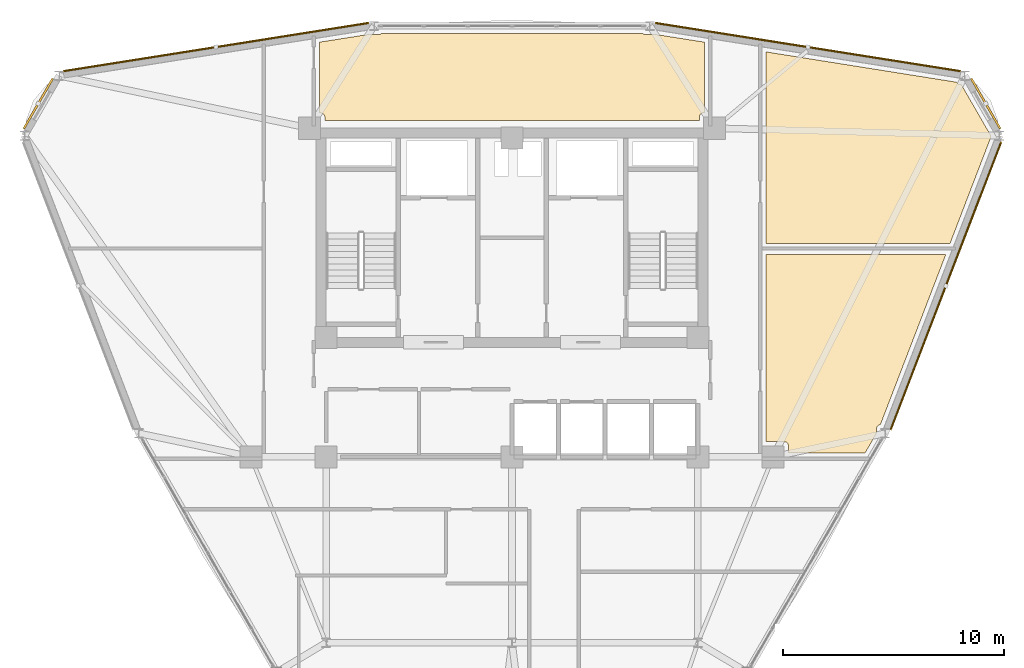
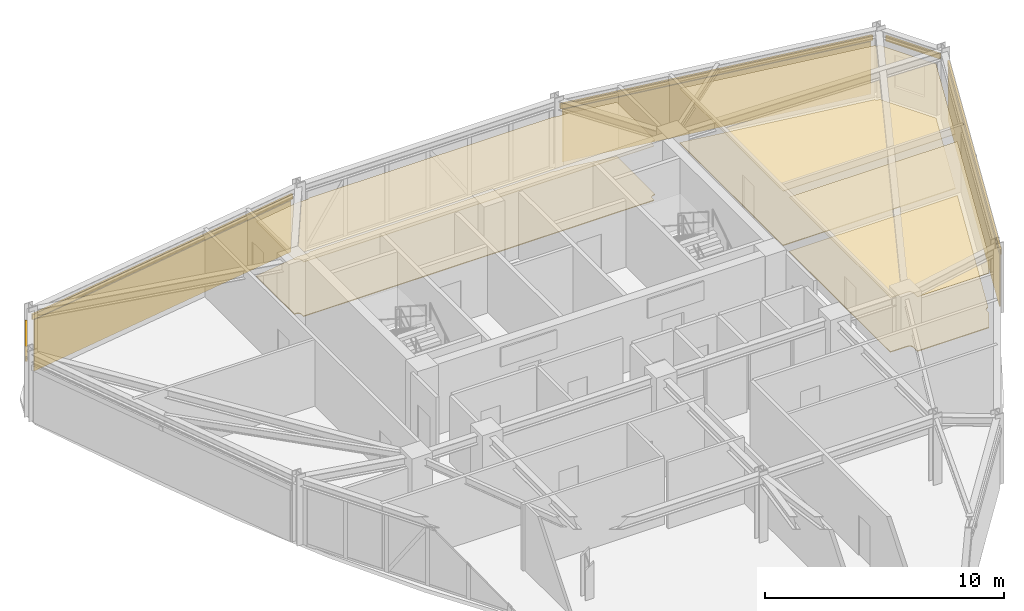
# One storey, part 14 of 14: 9 coverings, 5 shading devices.
"""IFC4 building model written with IfcOpenShell, lengths in metres."""

from ifc_helpers import new_model, si_unit, derived_unit, direction, frame, origin, origin_2d, place, context, subcontext, project, spatial, polyline, hollow_rectangle, outline, extrude, source, transform, mapped, material, layer, layer_set, material_profile, profile_set, type_object, element, save


model = new_model("IFC4")

# Units and contexts
model_context = context("Model", 3, precision=1e-05, world=origin(), true_north=direction((0.0, 1.0)))
body_context = subcontext(model_context, "Body", "Model", "MODEL_VIEW")
ifc_project = project(units=[si_unit("LENGTHUNIT", "METRE"), si_unit("AREAUNIT", "SQUARE_METRE"), si_unit("VOLUMEUNIT", "CUBIC_METRE"), si_unit("PLANEANGLEUNIT", "RADIAN"), si_unit("MASSUNIT", "GRAM", prefix="KILO"), derived_unit("THERMALTRANSMITTANCEUNIT", [(si_unit("POWERUNIT", "WATT"), 1), (si_unit("LENGTHUNIT", "METRE"), -2), (si_unit("THERMODYNAMICTEMPERATUREUNIT", "KELVIN"), -1)])], contexts=[model_context])

# Site, building, storey
site_placement = place(None, origin())
site = spatial("IfcSite", under=ifc_project, at=site_placement, CompositionType="ELEMENT")
building_placement = place(site_placement, origin())
building = spatial("IfcBuilding", under=site, at=building_placement, Name="Korsvarv Bourse and Concert Hall", CompositionType="ELEMENT")
storey_placement = place(building_placement, frame((0.0, 0.0, 190.199951171875)))
storey = spatial("IfcBuildingStorey", under=building, at=storey_placement, Name="L49", CompositionType="ELEMENT", Elevation=190.199951171875)

# Coverings
ifc_material_1 = material(Name="Perforated mineral-wool and birch acoustic baffle ceiling", Category="wood")
ifc_layer_1 = layer(ifc_material_1, 0.02490234375)
ifc_layer_set_1 = layer_set([ifc_layer_1], Name="Perforated mineral-wool and birch acoustic baffle ceiling")
covering_type_1 = type_object("IfcCoveringType", Name="COV-CEIL-1", PredefinedType="CEILING", material=ifc_layer_set_1)
covering_1_placement = place(storey_placement, frame((0.0, 0.0, 2.780029296875)))
element("IfcCovering", 1, at=covering_1_placement, inside=storey, type_object=covering_type_1, Name="L49 acoustic baffle ceiling 1", PredefinedType="CEILING", context=body_context, shape_type="SweptSolid", body=[
    extrude(outline(polyline([(56.0947265625, 49.327880859375), (56.115234375, 49.298095703125), (56.14111328125, 49.273193359375), (56.171630859375, 49.253662109375), (56.205322265625, 49.24072265625), (56.24072265625, 49.23486328125), (56.298828125, 49.231201171875), (57.63720703125, 46.9130859375), (57.63720703125, 46.837646484375), (55.797607421875, 42.050048828125), (47.47998046875, 42.050048828125), (47.47998046875, 50.6982421875), (56.0947265625, 49.327880859375)])), origin(), (0.0, 0.0, 1.0), 0.02490234375),
])
covering_2_placement = place(storey_placement, frame((0.0, 0.0, 2.780029296875)))
element("IfcCovering", 2, at=covering_2_placement, inside=storey, type_object=covering_type_1, Name="L49 acoustic baffle ceiling 2", PredefinedType="CEILING", context=body_context, shape_type="SweptSolid", body=[
    extrude(outline(polyline([(29.509033203125, 51.48681640625), (29.5341796875, 51.48193359375), (29.966796875, 51.473876953125), (30.003173828125, 51.476806640625), (30.0380859375, 51.4873046875), (30.070068359375, 51.50439453125), (30.09814453125, 51.527587890625), (41.89794921875, 51.53173828125), (41.91796875, 51.515625), (41.9482421875, 51.498779296875), (41.981201171875, 51.488037109375), (42.015869140625, 51.48388671875), (42.431884765625, 51.473876953125), (42.466796875, 51.476318359375), (42.499755859375, 51.485595703125), (44.7099609375, 51.135986328125), (44.7099609375, 47.93994140625), (44.64990234375, 47.93994140625), (44.615478515625, 47.936767578125), (44.582275390625, 47.9267578125), (44.5517578125, 47.910888671875), (44.524658203125, 47.88916015625), (44.502197265625, 47.86279296875), (44.4853515625, 47.83251953125), (44.474365234375, 47.799560546875), (44.47021484375, 47.765380859375), (44.465087890625, 47.60009765625), (27.5400390625, 47.60009765625), (27.5400390625, 47.75), (27.53662109375, 47.7841796875), (27.527099609375, 47.817138671875), (27.510986328125, 47.84765625), (27.48974609375, 47.874755859375), (27.463623046875, 47.897216796875), (27.433837890625, 47.914306640625), (27.4013671875, 47.92529296875), (27.3671875, 47.929931640625), (27.2900390625, 47.932861328125), (27.2900390625, 51.135986328125), (29.509033203125, 51.48681640625)])), origin(), (0.0, 0.0, 1.0), 0.02490234375),
])
covering_3_placement = place(storey_placement, frame((0.0, 0.0, 2.780029296875)))
element("IfcCovering", 3, at=covering_3_placement, inside=storey, type_object=covering_type_1, Name="L49 acoustic baffle ceiling 3", PredefinedType="CEILING", context=body_context, shape_type="SweptSolid", body=[
    extrude(outline(polyline([(48.489990234375, 32.570068359375), (48.489990234375, 32.89990234375), (48.486572265625, 32.934814453125), (48.4765625, 32.968505859375), (48.4599609375, 32.99951171875), (48.43798828125, 33.026611328125), (48.410888671875, 33.049072265625), (48.380126953125, 33.06591796875), (48.3466796875, 33.076171875), (48.311767578125, 33.080078125), (47.47998046875, 33.088134765625), (47.47998046875, 41.550048828125), (55.60546875, 41.550048828125), (52.650390625, 33.85986328125), (52.62451171875, 33.85693359375), (52.591552734375, 33.84716796875), (52.56103515625, 33.831298828125), (52.533935546875, 33.809814453125), (52.51171875, 33.78369140625), (52.49462890625, 33.753662109375), (52.483642578125, 33.72119140625), (52.47900390625, 33.68701171875), (52.470703125, 33.464599609375), (51.95361328125, 32.5693359375), (48.489990234375, 32.570068359375)])), origin(), (0.0, 0.0, 1.0), 0.02490234375),
])
ifc_material_2 = material(Name="Warm iron-oxide extruded terracotta rainscreen tile", Category="ceramic")
ifc_layer_2 = layer(ifc_material_2, 0.044921875)
ifc_layer_set_2 = layer_set([ifc_layer_2], Name="Warm iron-oxide extruded terracotta rainscreen tile")
covering_type_2 = type_object("IfcCoveringType", Name="COV-CLD-TC", PredefinedType="CLADDING", material=ifc_layer_set_2)
covering_4_placement = place(storey_placement, origin())
element("IfcCovering", 4, at=covering_4_placement, inside=storey, type_object=covering_type_2, Name="L49 fluted terracotta cladding panel EW-L49-B02", PredefinedType="CLADDING", context=body_context, shape_type="SweptSolid", body=[
    extrude(outline(polyline([(56.19970703125, 49.80126953125), (42.541259765625, 51.959716796875), (42.548095703125, 52.004150390625), (56.20654296875, 49.845703125), (56.19970703125, 49.80126953125)])), origin(), (0.0, 0.0, 1.0), 2.68994140625),
])
covering_5_placement = place(storey_placement, origin())
element("IfcCovering", 5, at=covering_5_placement, inside=storey, type_object=covering_type_2, Name="L49 fluted terracotta cladding panel EW-L49-B04", PredefinedType="CLADDING", context=body_context, shape_type="SweptSolid", body=[
    extrude(outline(polyline([(29.458740234375, 51.959716796875), (15.80029296875, 49.80126953125), (15.79345703125, 49.845703125), (29.451904296875, 52.004150390625), (29.458740234375, 51.959716796875)])), origin(), (0.0, 0.0, 1.0), 2.630126953125),
])
covering_6_placement = place(storey_placement, origin())
element("IfcCovering", 6, at=covering_6_placement, inside=storey, type_object=covering_type_2, Name="L49 fluted terracotta cladding panel EW-L49-B12", PredefinedType="CLADDING", context=body_context, shape_type="SweptSolid", body=[
    extrude(outline(polyline([(53.098388671875, 33.701416015625), (58.045654296875, 46.576416015625), (58.087646484375, 46.560302734375), (53.140380859375, 33.685302734375), (53.098388671875, 33.701416015625)])), origin(), (0.0, 0.0, 1.0), 2.68994140625),
])
ifc_material_3 = material(Name="Calcium-sulphate raised access trading floor with Nordic oak top", Category="wood")
ifc_layer_3 = layer(ifc_material_3, 0.0400390625)
ifc_layer_set_3 = layer_set([ifc_layer_3], Name="Calcium-sulphate raised access trading floor with Nordic oak top")
covering_type_3 = type_object("IfcCoveringType", Name="COV-FLOR-1", PredefinedType="FLOORING", material=ifc_layer_set_3)
covering_7_placement = place(storey_placement, origin())
element("IfcCovering", 7, at=covering_7_placement, inside=storey, type_object=covering_type_3, Name="L49 raised access oak floor finish 1", PredefinedType="FLOORING", context=body_context, shape_type="SweptSolid", body=[
    extrude(outline(polyline([(56.0947265625, 49.327880859375), (56.115234375, 49.298095703125), (56.14111328125, 49.273193359375), (56.171630859375, 49.253662109375), (56.205322265625, 49.24072265625), (56.24072265625, 49.23486328125), (56.298828125, 49.231201171875), (57.63720703125, 46.9130859375), (57.63720703125, 46.837646484375), (55.797607421875, 42.050048828125), (47.47998046875, 42.050048828125), (47.47998046875, 50.6982421875), (56.0947265625, 49.327880859375)])), origin(), (0.0, 0.0, 1.0), 0.0400390625),
])
covering_8_placement = place(storey_placement, origin())
element("IfcCovering", 8, at=covering_8_placement, inside=storey, type_object=covering_type_3, Name="L49 raised access oak floor finish 2", PredefinedType="FLOORING", context=body_context, shape_type="SweptSolid", body=[
    extrude(outline(polyline([(29.509033203125, 51.48681640625), (29.5341796875, 51.48193359375), (29.966796875, 51.473876953125), (30.003173828125, 51.476806640625), (30.0380859375, 51.4873046875), (30.070068359375, 51.50439453125), (30.09814453125, 51.527587890625), (41.89794921875, 51.53173828125), (41.91796875, 51.515625), (41.9482421875, 51.498779296875), (41.981201171875, 51.488037109375), (42.015869140625, 51.48388671875), (42.431884765625, 51.473876953125), (42.466796875, 51.476318359375), (42.499755859375, 51.485595703125), (44.7099609375, 51.135986328125), (44.7099609375, 47.93994140625), (44.64990234375, 47.93994140625), (44.615478515625, 47.936767578125), (44.582275390625, 47.9267578125), (44.5517578125, 47.910888671875), (44.524658203125, 47.88916015625), (44.502197265625, 47.86279296875), (44.4853515625, 47.83251953125), (44.474365234375, 47.799560546875), (44.47021484375, 47.765380859375), (44.465087890625, 47.60009765625), (27.5400390625, 47.60009765625), (27.5400390625, 47.75), (27.53662109375, 47.7841796875), (27.527099609375, 47.817138671875), (27.510986328125, 47.84765625), (27.48974609375, 47.874755859375), (27.463623046875, 47.897216796875), (27.433837890625, 47.914306640625), (27.4013671875, 47.92529296875), (27.3671875, 47.929931640625), (27.2900390625, 47.932861328125), (27.2900390625, 51.135986328125), (29.509033203125, 51.48681640625)])), origin(), (0.0, 0.0, 1.0), 0.0400390625),
])
covering_9_placement = place(storey_placement, origin())
element("IfcCovering", 9, at=covering_9_placement, inside=storey, type_object=covering_type_3, Name="L49 raised access oak floor finish 3", PredefinedType="FLOORING", context=body_context, shape_type="SweptSolid", body=[
    extrude(outline(polyline([(48.489990234375, 32.570068359375), (48.489990234375, 32.89990234375), (48.486572265625, 32.934814453125), (48.4765625, 32.968505859375), (48.4599609375, 32.99951171875), (48.43798828125, 33.026611328125), (48.410888671875, 33.049072265625), (48.380126953125, 33.06591796875), (48.3466796875, 33.076171875), (48.311767578125, 33.080078125), (47.47998046875, 33.088134765625), (47.47998046875, 41.550048828125), (55.60546875, 41.550048828125), (52.650390625, 33.85986328125), (52.62451171875, 33.85693359375), (52.591552734375, 33.84716796875), (52.56103515625, 33.831298828125), (52.533935546875, 33.809814453125), (52.51171875, 33.78369140625), (52.49462890625, 33.753662109375), (52.483642578125, 33.72119140625), (52.47900390625, 33.68701171875), (52.470703125, 33.464599609375), (51.95361328125, 32.5693359375), (48.489990234375, 32.570068359375)])), origin(), (0.0, 0.0, 1.0), 0.0400390625),
])

# Shading devices
ifc_material_4 = material(Name="Glazed extruded architectural terracotta", Category="ceramic")
ifc_material_profile = material_profile(ifc_material_4, hollow_rectangle(XDim=0.090087890625, YDim=0.260009765625, WallThickness=0.011962890625, at=origin_2d()), Name="TC-BAG 90x260")
ifc_profile_set = profile_set([ifc_material_profile], Name="Glazed extruded architectural terracotta")
shading_device_type = type_object("IfcShadingDeviceType", Name="SHD-BAG-1", PredefinedType="USERDEFINED", material=ifc_profile_set)
shared_shape_1 = source(origin(), body_context, "Body", "SweptSolid", [
    extrude(hollow_rectangle(XDim=0.090087890625, YDim=0.260009765625, WallThickness=0.011962890625, at=origin_2d()), origin(), (0.0, 0.0, 1.0), 2.63720703125),
])
for number, where, z_axis, x_axis, name in (
    (10, (58.0673828125, 47.218017578125, 2.85009765625), (-0.499992239852, 0.866029884062, 0.0), (-0.866029884062, -0.499992239852, 0.0), "L49 terracotta baguette sunshade EW-L49-B01"),
    (11, (15.251220703125, 49.501953125, 2.85009765625), (-0.499992239852, -0.866029884062, 0.0), (0.866029884062, -0.499992239852, 0.0), "L49 terracotta baguette sunshade EW-L49-B05"),
):
    element("IfcShadingDevice", number, at=place(storey_placement, frame(where, z_axis=z_axis, x_axis=x_axis)), inside=storey, type_object=shading_device_type, Name=name, ObjectType="BAGUETTE", PredefinedType="USERDEFINED", context=body_context, shape_type="MappedRepresentation", body=[
        mapped(shared_shape_1, transform((0.0, 0.0, 0.0), scale=1.0)),
    ])
shared_shape_2 = source(origin(), body_context, "Body", "SweptSolid", [
    extrude(hollow_rectangle(XDim=0.090087890625, YDim=0.260009765625, WallThickness=0.011962890625, at=origin_2d()), origin(), (0.0, 0.0, 1.0), 13.98779296875),
])
for number, where, z_axis, x_axis, name in (
    (12, (56.284912109375, 49.828369140625, 2.85009765625), (-0.987743003355, 0.15608894683, 0.0), (-0.15608894683, -0.987743003355, 0.0), "L49 terracotta baguette sunshade EW-L49-B02"),
    (13, (29.531494140625, 52.01171875, 2.7900390625), (-0.987743003355, -0.15608894683, 0.0), (0.15608894683, -0.987743003355, 0.0), "L49 terracotta baguette sunshade EW-L49-B04"),
):
    element("IfcShadingDevice", number, at=place(storey_placement, frame(where, z_axis=z_axis, x_axis=x_axis)), inside=storey, type_object=shading_device_type, Name=name, ObjectType="BAGUETTE", PredefinedType="USERDEFINED", context=body_context, shape_type="MappedRepresentation", body=[
        mapped(shared_shape_2, transform((0.0, 0.0, 0.0), scale=1.0)),
    ])
shared_shape_3 = source(origin(), body_context, "Body", "SweptSolid", [
    extrude(hollow_rectangle(XDim=0.090087890625, YDim=0.260009765625, WallThickness=0.011962890625, at=origin_2d()), origin(), (0.0, 0.0, 1.0), 13.952880859375),
])
shading_device_placement = place(storey_placement, frame((53.107177734375, 33.6123046875, 2.85009765625), z_axis=(0.358682414456, 0.933459653954, 0.0), x_axis=(-0.933459653954, 0.358682414456, 0.0)))
element("IfcShadingDevice", 14, at=shading_device_placement, inside=storey, type_object=shading_device_type, Name="L49 terracotta baguette sunshade EW-L49-B12", ObjectType="BAGUETTE", PredefinedType="USERDEFINED", context=body_context, shape_type="MappedRepresentation", body=[
    mapped(shared_shape_3, transform((0.0, 0.0, 0.0), scale=1.0)),
])

save(model, "model.ifc")
